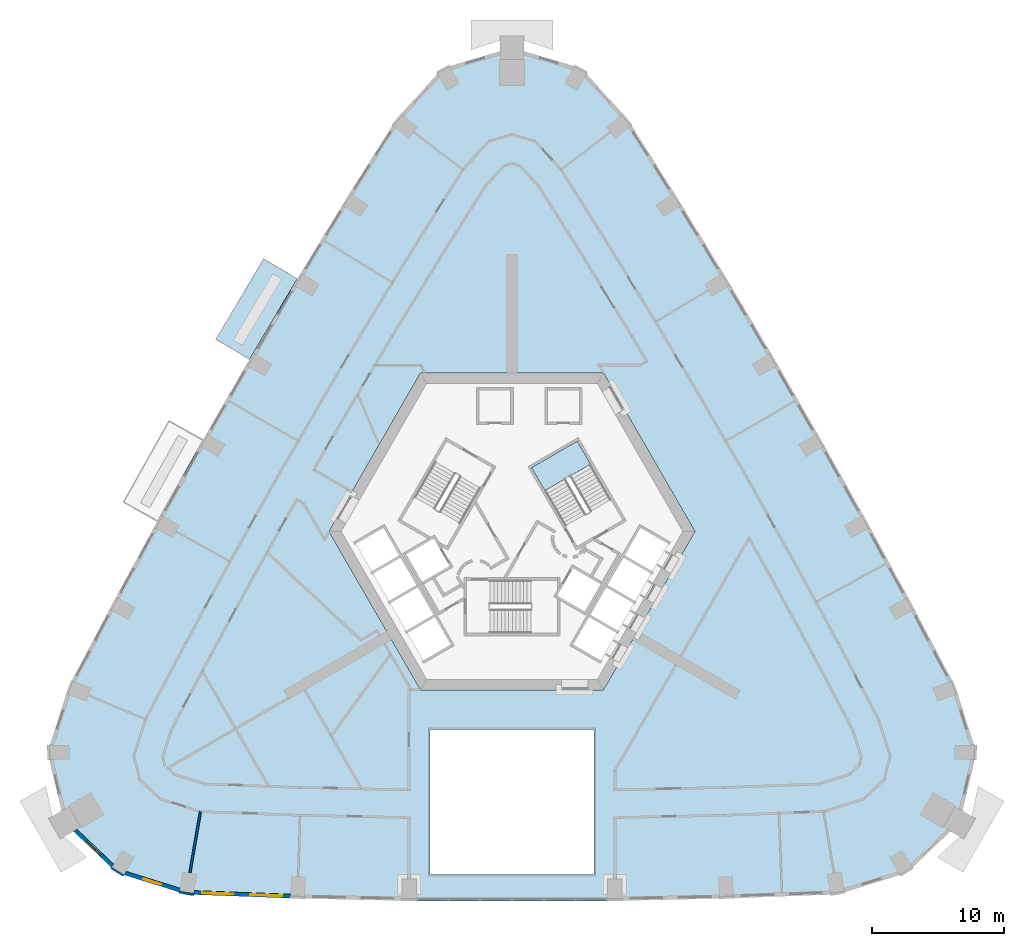
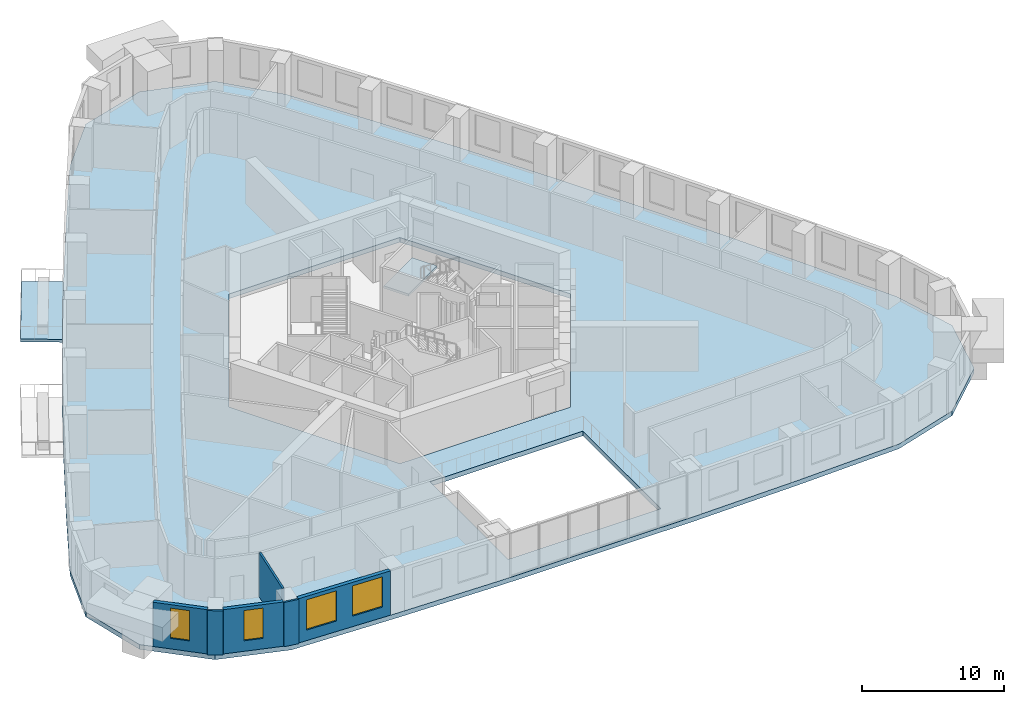
# One storey, part 3 of 15: 6 walls, 4 windows, 3 slabs, 4 openings, 1 element without a shape of its own.
"""IFC4 building model written with IfcOpenShell, lengths in metres."""

from ifc_helpers import new_model, si_unit, direction, frame, frame_2d, origin, place, context, subcontext, project, spatial, polyline, rectangle, outline, extrude, material, layer, layer_set, type_object, element, fill, aggregate, save


model = new_model("IFC4")

# Units and contexts
model_context = context("Model", 3, precision=1e-05, world=origin(), true_north=direction((0.0, 1.0)))
body_context = subcontext(model_context, "Body", "Model", "MODEL_VIEW")
ifc_project = project(units=[si_unit("LENGTHUNIT", "METRE"), si_unit("AREAUNIT", "SQUARE_METRE"), si_unit("VOLUMEUNIT", "CUBIC_METRE"), si_unit("PLANEANGLEUNIT", "RADIAN"), si_unit("MASSUNIT", "GRAM", prefix="KILO")], contexts=[model_context])

# Site, building, storey
site_placement = place(None, origin())
site = spatial("IfcSite", under=ifc_project, at=site_placement, CompositionType="ELEMENT")
building_placement = place(site_placement, origin())
building = spatial("IfcBuilding", under=site, at=building_placement, Name="Entoto Arch Interchange Tower", CompositionType="ELEMENT")
storey_placement = place(building_placement, frame((0.0, 0.0, 171.800048828125)))
storey = spatial("IfcBuildingStorey", under=building, at=storey_placement, Name="L38", CompositionType="ELEMENT", Elevation=171.800048828125)

# Slab
ifc_material_1 = material(Name="Board-marked precast concrete C50/60", Category="concrete")
ifc_layer_1 = layer(ifc_material_1, 0.25)
ifc_layer_set_1 = layer_set([ifc_layer_1], Name="Board-marked precast concrete C50/60")
slab_type_1 = type_object("IfcSlabType", Name="BALCONY DECK PRECAST 250", PredefinedType="FLOOR", material=ifc_layer_set_1)
slab_1_placement = place(storey_placement, frame((0.0, 0.0, -0.25)))
element("IfcSlab", 1, at=slab_1_placement, inside=storey, type_object=slab_type_1, Name="Planted balcony NW-03 L38", PredefinedType="FLOOR", context=body_context, shape_type="SweptSolid", body=[
    extrude(outline(polyline([(-16.26611328125, 21.6240234375), (-19.875, 15.552978515625), (-22.410888671875, 17.06005859375), (-18.802001953125, 23.131103515625), (-16.26611328125, 21.6240234375)])), origin(), (0.0, 0.0, 1.0), 0.25),
])

# Stair, slab
ifc_material_2 = material(Name="Concrete C40/50", Category="concrete")
stair_type = type_object("IfcStairType", Name="EXIT STAIR RC 1800", PredefinedType="HALF_TURN_STAIR", material=ifc_material_2)
stair_placement = place(storey_placement, origin())
stair = element("IfcStair", 2, at=stair_placement, inside=storey, type_object=stair_type, Name="L38 Exit stair NE", PredefinedType="HALF_TURN_STAIR")
ifc_layer_2 = layer(ifc_material_2, 0.199951171875)
ifc_layer_set_2 = layer_set([ifc_layer_2], Name="Concrete C40/50")
slab_type_2 = type_object("IfcSlabType", Name="EXIT STAIR LANDING RC 200", PredefinedType="LANDING", material=ifc_layer_set_2)
slab_2_placement = place(storey_placement, frame((0.0, 0.0, 1.89990234375)))
slab_2 = element("IfcSlab", 3, at=slab_2_placement, type_object=slab_type_2, Name="ST-NE landing 1", PredefinedType="LANDING", context=body_context, shape_type="SweptSolid", body=[
    extrude(outline(polyline([(5.953369140625, 7.58837890625), (4.943359375, 9.337890625), (1.479248046875, 7.337890625), (2.4892578125, 5.58837890625), (5.953369140625, 7.58837890625)])), origin(), (0.0, 0.0, 1.0), 0.199951171875),
])
aggregate(stair, [slab_2])

# Slab
ifc_layer_3 = layer(ifc_material_2, 0.39990234375)
ifc_layer_set_3 = layer_set([ifc_layer_3], Name="Concrete C40/50")
slab_type_3 = type_object("IfcSlabType", Name="Post-tensioned flat plate 400 C40/50", PredefinedType="FLOOR", material=ifc_layer_set_3)
slab_3_placement = place(storey_placement, frame((0.0, 0.0, -0.400146484375)))
element("IfcSlab", 4, at=slab_3_placement, inside=storey, type_object=slab_type_3, Name="Floor slab L38", PredefinedType="FLOOR", context=body_context, shape_type="SweptSolid", body=[
    extrude(outline(polyline([(-24.6689453125, -24.97705078125), (-16.23388671875, -25.2900390625), (-7.800048828125, -25.472900390625), (7.800048828125, -25.472900390625), (16.23388671875, -25.2900390625), (24.6689453125, -24.97705078125), (29.9189453125, -23.339111328125), (33.888916015625, -19.56494140625), (35.1708984375, -14.240966796875), (33.58203125, -9.281005859375), (30.23388671875, -2.931884765625), (26.860107421875, 3.27490234375), (23.406005859375, 9.43603515625), (19.875, 15.552978515625), (16.26611328125, 21.6240234375), (12.577880859375, 27.64892578125), (8.7529296875, 33.72412109375), (5.2529296875, 37.580078125), (0.0, 39.131103515625), (-5.2529296875, 37.580078125), (-8.7529296875, 33.72412109375), (-12.577880859375, 27.64892578125), (-16.26611328125, 21.6240234375), (-19.875, 15.552978515625), (-23.406005859375, 9.43603515625), (-26.860107421875, 3.27490234375), (-30.23388671875, -2.931884765625), (-33.58203125, -9.281005859375), (-35.1708984375, -14.240966796875), (-33.888916015625, -19.56494140625), (-29.9189453125, -23.339111328125), (-24.6689453125, -24.97705078125)]), holes=[polyline([(6.199951171875, -23.472900390625), (6.199951171875, -12.5), (-6.199951171875, -12.5), (-6.199951171875, -23.472900390625), (6.199951171875, -23.472900390625)]), polyline([(13.85595703125, 2.5), (6.927978515625, 14.5), (-6.927978515625, 14.5), (-13.85595703125, 2.5), (-6.927978515625, -9.5), (6.927978515625, -9.5), (13.85595703125, 2.5)])]), origin(), (0.0, 0.0, 1.0), 0.400146484375),
])

# Wall
ifc_material_3 = material(Name="Gypsum board partition on steel studs", Category="steel")
ifc_layer_4 = layer(ifc_material_3, 0.14990234375)
ifc_layer_set_4 = layer_set([ifc_layer_4], Name="Gypsum board partition on steel studs")
wall_type_1 = type_object("IfcWallType", Name="PARTITION 150", PredefinedType="PARTITIONING", material=ifc_layer_set_4)
wall_1_placement = place(storey_placement, frame((-23.594970703125, -18.7119140625, 0.0), z_axis=(0.0, 0.0, 1.0), x_axis=(-0.168992733164, -0.985617296996, 0.0)))
element("IfcWall", 5, at=wall_1_placement, inside=storey, type_object=wall_type_1, Name="wall:L38:p145", PredefinedType="PARTITIONING", context=body_context, shape_type="SweptSolid", body=[
    extrude(rectangle(XDim=4.6865234375, YDim=0.14990234375, at=frame_2d((2.34326171875, 0.0))), origin(), (0.0, 0.0, 1.0), 3.800048828125),
])

# Wall, openings, windows
ifc_material_4 = material(Name="Welded tuff (ignimbrite) cladding, warm buff", Category="masonry")
ifc_layer_5 = layer(ifc_material_4, 0.300048828125)
ifc_layer_set_5 = layer_set([ifc_layer_5], Name="Welded tuff (ignimbrite) cladding, warm buff")
wall_type_2 = type_object("IfcWallType", Name="STONE INFILL WALL 300", PredefinedType="STANDARD", material=ifc_layer_set_5)
wall_2_placement = place(storey_placement, frame((-24.090087890625, -24.847900390625, 0.0), z_axis=(0.0, 0.0, 1.0), x_axis=(0.999307730926, -0.037202942236, 0.0)))
wall_2 = element("IfcWall", 6, at=wall_2_placement, inside=storey, type_object=wall_type_2, Name="Facade wall S-01 L38", PredefinedType="STANDARD", context=body_context, shape_type="SweptSolid", body=[
    extrude(rectangle(XDim=7.317138671875, YDim=0.300048828125, at=frame_2d((3.65869140625, 0.0))), origin(), (0.0, 0.0, 1.0), 3.800048828125),
])
opening_1_placement = place(wall_2_placement, frame((0.62890625, 0.0, 0.89990234375)))
opening_1 = element("IfcOpeningElement", 7, at=opening_1_placement, cuts=wall_2, Name="Opening WO-A", PredefinedType="OPENING", context=body_context, shape_type="SweptSolid", body=[
    extrude(rectangle(XDim=2.39990234375, YDim=2.60009765625, at=frame_2d((1.199951171875, 1.300048828125))), frame((0.0, 0.16015625, 0.0), z_axis=(0.0, -1.0, 0.0), x_axis=(1.0, 0.0, 0.0)), (0.0, 0.0, 1.0), 0.320068359375),
])
opening_2_placement = place(wall_2_placement, frame((4.2880859375, 0.0, 0.89990234375)))
opening_2 = element("IfcOpeningElement", 8, at=opening_2_placement, cuts=wall_2, Name="Opening WO-A", PredefinedType="OPENING", context=body_context, shape_type="SweptSolid", body=[
    extrude(rectangle(XDim=2.39990234375, YDim=2.60009765625, at=frame_2d((1.199951171875, 1.300048828125))), frame((0.0, 0.16015625, 0.0), z_axis=(0.0, -1.0, 0.0), x_axis=(1.0, 0.0, 0.0)), (0.0, 0.0, 1.0), 0.320068359375),
])
ifc_material_5 = material(Name="Clear glass, low-e double glazed", Category="glass")
window_type_1 = type_object("IfcWindowType", Name="WINDOW WO-A 2400x2600", PartitioningType="DOUBLE_PANEL_VERTICAL", PredefinedType="WINDOW", material=ifc_material_5)
window_1_placement = place(opening_1_placement, origin())
window_1 = element("IfcWindow", 9, at=window_1_placement, inside=storey, type_object=window_type_1, Name="Window WO-A S-01 L38", OverallHeight=2.60009765625, OverallWidth=2.39990234375, PartitioningType="SINGLE_PANEL", PredefinedType="WINDOW", context=body_context, shape_type="SweptSolid", body=[
    extrude(rectangle(XDim=2.39990234375, YDim=2.60009765625, at=frame_2d((1.199951171875, 1.300048828125))), frame((0.0, 0.030029296875, 0.0), z_axis=(0.0, -1.0, 0.0), x_axis=(1.0, 0.0, 0.0)), (0.0, 0.0, 1.0), 0.06005859375),
])
fill(opening_1, window_1)
window_2_placement = place(opening_2_placement, origin())
window_2 = element("IfcWindow", 10, at=window_2_placement, inside=storey, type_object=window_type_1, Name="Window WO-A S-01 L38", OverallHeight=2.60009765625, OverallWidth=2.39990234375, PartitioningType="SINGLE_PANEL", PredefinedType="WINDOW", context=body_context, shape_type="SweptSolid", body=[
    extrude(rectangle(XDim=2.39990234375, YDim=2.60009765625, at=frame_2d((1.199951171875, 1.300048828125))), frame((0.0, 0.030029296875, 0.0), z_axis=(0.0, -1.0, 0.0), x_axis=(1.0, 0.0, 0.0)), (0.0, 0.0, 1.0), 0.06005859375),
])
fill(opening_2, window_2)

# Wall, opening, window
wall_3_placement = place(storey_placement, frame((-33.073974609375, -20.133056640625, 0.0), z_axis=(0.0, 0.0, 1.0), x_axis=(0.724807239831, -0.688951714628, 0.0)))
wall_3 = element("IfcWall", 11, at=wall_3_placement, inside=storey, type_object=wall_type_2, Name="Facade wall SW-03 L38", PredefinedType="STANDARD", context=body_context, shape_type="SweptSolid", body=[
    extrude(rectangle(XDim=3.901611328125, YDim=0.300048828125, at=frame_2d((1.95068359375, 0.0))), origin(), (0.0, 0.0, 1.0), 3.800048828125),
])
opening_3_placement = place(wall_3_placement, frame((1.2509765625, 0.0, 0.89990234375)))
opening_3 = element("IfcOpeningElement", 12, at=opening_3_placement, cuts=wall_3, Name="Opening WO-B", PredefinedType="OPENING", context=body_context, shape_type="SweptSolid", body=[
    extrude(rectangle(XDim=1.39990234375, YDim=2.60009765625, at=frame_2d((0.699951171875, 1.300048828125))), frame((0.0, 0.16015625, 0.0), z_axis=(0.0, -1.0, 0.0), x_axis=(1.0, 0.0, 0.0)), (0.0, 0.0, 1.0), 0.320068359375),
])
window_type_2 = type_object("IfcWindowType", Name="WINDOW WO-B 1400x2600", PartitioningType="DOUBLE_PANEL_VERTICAL", PredefinedType="WINDOW", material=ifc_material_5)
window_3_placement = place(opening_3_placement, origin())
window_3 = element("IfcWindow", 13, at=window_3_placement, inside=storey, type_object=window_type_2, Name="Window WO-B SW-03 L38", OverallHeight=2.60009765625, OverallWidth=1.39990234375, PartitioningType="SINGLE_PANEL", PredefinedType="WINDOW", context=body_context, shape_type="SweptSolid", body=[
    extrude(rectangle(XDim=1.39990234375, YDim=2.60009765625, at=frame_2d((0.699951171875, 1.300048828125))), frame((0.0, 0.030029296875, 0.0), z_axis=(0.0, -1.0, 0.0), x_axis=(1.0, 0.0, 0.0)), (0.0, 0.0, 1.0), 0.06005859375),
])
fill(opening_3, window_3)

wall_4_placement = place(storey_placement, frame((-29.298095703125, -23.3759765625, 0.0), z_axis=(0.0, 0.0, 1.0), x_axis=(0.954628614874, -0.29779893832, 0.0)))
wall_4 = element("IfcWall", 14, at=wall_4_placement, inside=storey, type_object=wall_type_2, Name="Facade wall SW-04 L38", PredefinedType="STANDARD", context=body_context, shape_type="SweptSolid", body=[
    extrude(rectangle(XDim=4.322021484375, YDim=0.300048828125, at=frame_2d((2.1611328125, 0.0))), origin(), (0.0, 0.0, 1.0), 3.800048828125),
])
opening_4_placement = place(wall_4_placement, frame((1.4609375, 0.0, 0.89990234375)))
opening_4 = element("IfcOpeningElement", 15, at=opening_4_placement, cuts=wall_4, Name="Opening WO-B", PredefinedType="OPENING", context=body_context, shape_type="SweptSolid", body=[
    extrude(rectangle(XDim=1.39990234375, YDim=2.60009765625, at=frame_2d((0.699951171875, 1.300048828125))), frame((0.0, 0.16015625, 0.0), z_axis=(0.0, -1.0, 0.0), x_axis=(1.0, 0.0, 0.0)), (0.0, 0.0, 1.0), 0.320068359375),
])
window_4_placement = place(opening_4_placement, origin())
window_4 = element("IfcWindow", 16, at=window_4_placement, inside=storey, type_object=window_type_2, Name="Window WO-B SW-04 L38", OverallHeight=2.60009765625, OverallWidth=1.39990234375, PartitioningType="SINGLE_PANEL", PredefinedType="WINDOW", context=body_context, shape_type="SweptSolid", body=[
    extrude(rectangle(XDim=1.39990234375, YDim=2.60009765625, at=frame_2d((0.699951171875, 1.300048828125))), frame((0.0, 0.030029296875, 0.0), z_axis=(0.0, -1.0, 0.0), x_axis=(1.0, 0.0, 0.0)), (0.0, 0.0, 1.0), 0.06005859375),
])
fill(opening_4, window_4)

# Walls
ifc_layer_6 = layer(ifc_material_4, 0.14990234375)
ifc_layer_set_6 = layer_set([ifc_layer_6], Name="Welded tuff (ignimbrite) cladding, warm buff")
wall_type_3 = type_object("IfcWallType", Name="STONE PIER CLADDING 150", PredefinedType="STANDARD", material=ifc_layer_set_6)
wall_5_placement = place(storey_placement, frame((-25.198974609375, -24.81103515625, 0.0), z_axis=(0.0, 0.0, 1.0), x_axis=(0.985763338892, -0.168138751323, 0.0)))
element("IfcWall", 17, at=wall_5_placement, inside=storey, type_object=wall_type_3, Name="Stone pier S01 L38", PredefinedType="STANDARD", context=body_context, shape_type="SweptSolid", body=[
    extrude(rectangle(XDim=1.1005859375, YDim=0.14990234375, at=frame_2d((0.55029296875, 0.0))), origin(), (0.0, 0.0, 1.0), 3.800048828125),
])
wall_6_placement = place(storey_placement, frame((-30.34912109375, -22.989013671875, 0.0), z_axis=(0.0, 0.0, 1.0), x_axis=(0.854065628997, -0.520165263514, 0.0)))
element("IfcWall", 18, at=wall_6_placement, inside=storey, type_object=wall_type_3, Name="Stone pier SW3 L38", PredefinedType="STANDARD", context=body_context, shape_type="SweptSolid", body=[
    extrude(rectangle(XDim=1.099609375, YDim=0.14990234375, at=frame_2d((0.5498046875, 0.0))), origin(), (0.0, 0.0, 1.0), 3.800048828125),
])

save(model, "model.ifc")
